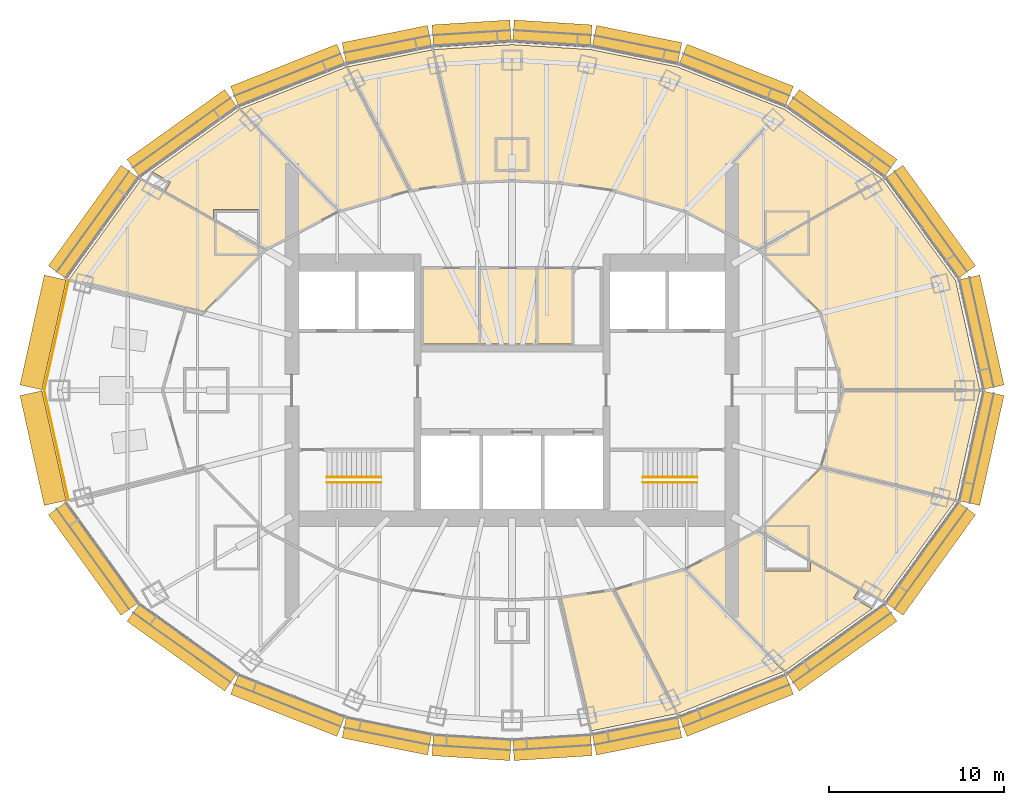
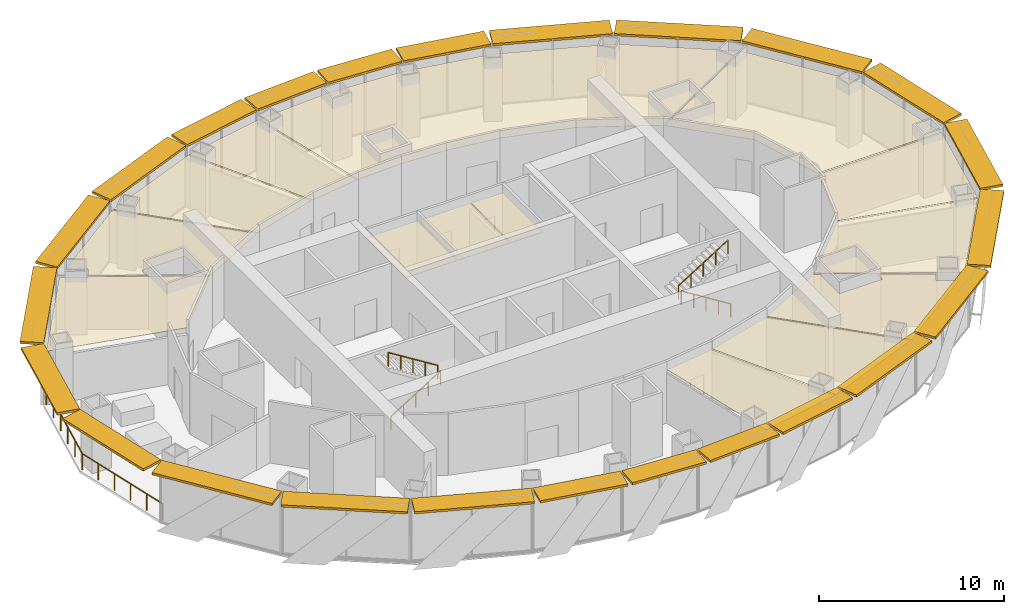
# One storey, part 16 of 16: 24 shading devices, 14 coverings, 6 railings.
"""IFC4 building model written with IfcOpenShell, lengths in metres."""

from ifc_helpers import new_model, si_unit, direction, frame, origin, origin_2d, place, context, subcontext, project, spatial, polyline, rectangle, circle, outline, extrude, material, layer, layer_set, type_object, element, save


model = new_model("IFC4")

# Units and contexts
model_context = context("Model", 3, precision=1e-05, world=origin(), true_north=direction((0.0, 1.0)))
body_context = subcontext(model_context, "Body", "Model", "MODEL_VIEW")
ifc_project = project(units=[si_unit("LENGTHUNIT", "METRE"), si_unit("AREAUNIT", "SQUARE_METRE"), si_unit("VOLUMEUNIT", "CUBIC_METRE"), si_unit("PLANEANGLEUNIT", "RADIAN"), si_unit("MASSUNIT", "GRAM", prefix="KILO")], contexts=[model_context])

# Site, building, storey
site_placement = place(None, origin())
site = spatial("IfcSite", under=ifc_project, at=site_placement, CompositionType="ELEMENT")
building_placement = place(site_placement, origin())
building = spatial("IfcBuilding", under=site, at=building_placement, Name="Lantaw Convention Tower", CompositionType="ELEMENT")
storey_placement = place(building_placement, frame((0.0, 0.0, 232.60009765625)))
storey = spatial("IfcBuildingStorey", under=building, at=storey_placement, Name="L54", CompositionType="ELEMENT", Elevation=232.60009765625)

# Railings
ifc_material_1 = material(Name="Stainless steel", Category="steel")
railing_type_1 = type_object("IfcRailingType", Name="Stair handrail", PredefinedType="HANDRAIL", material=ifc_material_1)
railing_1_placement = place(storey_placement, frame((-10.580078125, -5.280029296875, 0.1748046875)))
element("IfcRailing", 1, at=railing_1_placement, inside=storey, type_object=railing_type_1, Name="Stair handrail S1", PredefinedType="HANDRAIL", context=body_context, shape_type="SweptSolid", body=[
    extrude(circle(Radius=0.02392578125, at=origin_2d()), frame((0.0, 0.0, 0.8759765625), z_axis=(0.847998304005, 0.0, 0.529998940003), x_axis=(0.0, 1.0, 0.0)), (0.0, 0.0, 1.0), 3.632080078125),
    extrude(circle(Radius=0.02099609375, at=origin_2d()), origin(), (0.0, 0.0, 1.0), 0.851806640625),
    extrude(circle(Radius=0.02099609375, at=origin_2d()), frame((0.77001953125, 0.0, 0.481201171875)), (0.0, 0.0, 1.0), 0.851806640625),
    extrude(circle(Radius=0.02099609375, at=origin_2d()), frame((1.5400390625, 0.0, 0.96240234375)), (0.0, 0.0, 1.0), 0.851806640625),
    extrude(circle(Radius=0.02099609375, at=origin_2d()), frame((2.31005859375, 0.0, 1.44384765625)), (0.0, 0.0, 1.0), 0.851806640625),
    extrude(circle(Radius=0.02099609375, at=origin_2d()), frame((3.080078125, 0.0, 1.925048828125)), (0.0, 0.0, 1.0), 0.851806640625),
])
for number, where, name in (
    (2, (-7.5, -4.97998046875, 2.27490234375), "Stair handrail S1"),
    (3, (10.580078125, -5.280029296875, 0.1748046875), "Stair handrail S2"),
):
    element("IfcRailing", number, at=place(storey_placement, frame(where)), inside=storey, type_object=railing_type_1, Name=name, PredefinedType="HANDRAIL", context=body_context, shape_type="SweptSolid", body=[
        extrude(circle(Radius=0.02392578125, at=origin_2d()), frame((0.0, 0.0, 0.8759765625), z_axis=(-0.847998304005, 0.0, 0.529998940003), x_axis=(0.0, -1.0, 0.0)), (0.0, 0.0, 1.0), 3.632080078125),
        extrude(circle(Radius=0.02099609375, at=origin_2d()), origin(), (0.0, 0.0, 1.0), 0.851806640625),
        extrude(circle(Radius=0.02099609375, at=origin_2d()), frame((-0.77001953125, 0.0, 0.481201171875)), (0.0, 0.0, 1.0), 0.851806640625),
        extrude(circle(Radius=0.02099609375, at=origin_2d()), frame((-1.5400390625, 0.0, 0.96240234375)), (0.0, 0.0, 1.0), 0.851806640625),
        extrude(circle(Radius=0.02099609375, at=origin_2d()), frame((-2.31005859375, 0.0, 1.44384765625)), (0.0, 0.0, 1.0), 0.851806640625),
        extrude(circle(Radius=0.02099609375, at=origin_2d()), frame((-3.080078125, 0.0, 1.925048828125)), (0.0, 0.0, 1.0), 0.851806640625),
    ])
railing_2_placement = place(storey_placement, frame((7.5, -4.97998046875, 2.27490234375)))
element("IfcRailing", 4, at=railing_2_placement, inside=storey, type_object=railing_type_1, Name="Stair handrail S2", PredefinedType="HANDRAIL", context=body_context, shape_type="SweptSolid", body=[
    extrude(circle(Radius=0.02392578125, at=origin_2d()), frame((0.0, 0.0, 0.8759765625), z_axis=(0.847998304005, 0.0, 0.529998940003), x_axis=(0.0, 1.0, 0.0)), (0.0, 0.0, 1.0), 3.632080078125),
    extrude(circle(Radius=0.02099609375, at=origin_2d()), origin(), (0.0, 0.0, 1.0), 0.851806640625),
    extrude(circle(Radius=0.02099609375, at=origin_2d()), frame((0.77001953125, 0.0, 0.481201171875)), (0.0, 0.0, 1.0), 0.851806640625),
    extrude(circle(Radius=0.02099609375, at=origin_2d()), frame((1.5400390625, 0.0, 0.96240234375)), (0.0, 0.0, 1.0), 0.851806640625),
    extrude(circle(Radius=0.02099609375, at=origin_2d()), frame((2.31005859375, 0.0, 1.44384765625)), (0.0, 0.0, 1.0), 0.851806640625),
    extrude(circle(Radius=0.02099609375, at=origin_2d()), frame((3.080078125, 0.0, 1.925048828125)), (0.0, 0.0, 1.0), 0.851806640625),
])

# Coverings
ifc_material_2 = material(Name="Gypsum board on steel suspension grid", Category="steel")
ifc_layer = layer(ifc_material_2, 0.02001953125)
ifc_layer_set = layer_set([ifc_layer], Name="Suspended ceiling")
covering_type = type_object("IfcCoveringType", Name="Suspended ceiling", PredefinedType="CEILING", material=ifc_layer_set)
covering_1_placement = place(storey_placement, frame((0.0, 0.0, 3.449951171875)))
element("IfcCovering", 5, at=covering_1_placement, inside=storey, type_object=covering_type, Name="Male WC ceiling", PredefinedType="CEILING", context=body_context, shape_type="SweptSolid", body=[
    extrude(outline(polyline([(-5.080078125, 2.639892578125), (-1.88330078125, 2.639892578125), (-1.88330078125, 6.9599609375), (-5.080078125, 6.9599609375), (-5.080078125, 2.639892578125)])), origin(), (0.0, 0.0, 1.0), 0.02001953125),
])
covering_2_placement = place(storey_placement, frame((0.0, 0.0, 3.449951171875)))
element("IfcCovering", 6, at=covering_2_placement, inside=storey, type_object=covering_type, Name="Female WC ceiling", PredefinedType="CEILING", context=body_context, shape_type="SweptSolid", body=[
    extrude(outline(polyline([(-1.80322265625, 2.639892578125), (1.3935546875, 2.639892578125), (1.3935546875, 6.9599609375), (-1.80322265625, 6.9599609375), (-1.80322265625, 2.639892578125)])), origin(), (0.0, 0.0, 1.0), 0.02001953125),
])
covering_3_placement = place(storey_placement, frame((0.0, 0.0, 3.449951171875)))
element("IfcCovering", 7, at=covering_3_placement, inside=storey, type_object=covering_type, Name="Accessible WC ceiling", PredefinedType="CEILING", context=body_context, shape_type="SweptSolid", body=[
    extrude(outline(polyline([(1.4736328125, 2.639892578125), (3.441650390625, 2.639892578125), (3.441650390625, 6.9599609375), (1.4736328125, 6.9599609375), (1.4736328125, 2.639892578125)])), origin(), (0.0, 0.0, 1.0), 0.02001953125),
])
covering_4_placement = place(storey_placement, frame((0.0, 0.0, 3.449951171875)))
element("IfcCovering", 8, at=covering_4_placement, inside=storey, type_object=covering_type, Name="Pantry ceiling", PredefinedType="CEILING", context=body_context, shape_type="SweptSolid", body=[
    extrude(outline(polyline([(2.790283203125, -11.90771484375), (4.55859375, -19.492919921875), (9.42431640625, -18.514404296875), (5.7978515625, -11.466796875), (2.790283203125, -11.90771484375)])), origin(), (0.0, 0.0, 1.0), 0.02001953125),
])
covering_5_placement = place(storey_placement, frame((0.0, 0.0, 3.449951171875)))
element("IfcCovering", 9, at=covering_5_placement, inside=storey, type_object=covering_type, Name="Private office ceiling", PredefinedType="CEILING", context=body_context, shape_type="SweptSolid", body=[
    extrude(outline(polyline([(5.878173828125, -11.447998046875), (9.503173828125, -18.49267578125), (15.5537109375, -16.0966796875), (9.88134765625, -10.2900390625), (5.878173828125, -11.447998046875)])), origin(), (0.0, 0.0, 1.0), 0.02001953125),
])
covering_6_placement = place(storey_placement, frame((0.0, 0.0, 3.449951171875)))
element("IfcCovering", 10, at=covering_6_placement, inside=storey, type_object=covering_type, Name="Private office ceiling", PredefinedType="CEILING", context=body_context, shape_type="SweptSolid", body=[
    extrude(outline(polyline([(14.08837890625, -8.096435546875), (9.95947265625, -10.25537109375), (15.62890625, -16.059326171875), (20.599365234375, -12.50830078125), (19.5498046875, -11.908447265625), (19.866455078125, -11.3544921875), (17.090087890625, -9.788818359375), (17.090087890625, -10.340087890625), (14.409912109375, -10.340087890625), (14.409912109375, -8.27783203125), (14.08837890625, -8.096435546875)])), origin(), (0.0, 0.0, 1.0), 0.02001953125),
])
covering_7_placement = place(storey_placement, frame((0.0, 0.0, 3.449951171875)))
element("IfcCovering", 11, at=covering_7_placement, inside=storey, type_object=covering_type, Name="Private office ceiling", PredefinedType="CEILING", context=body_context, shape_type="SweptSolid", body=[
    extrude(outline(polyline([(14.154296875, -8.041748046875), (21.241455078125, -12.0380859375), (25.359130859375, -6.331787109375), (17.685302734375, -4.45068359375), (14.154296875, -8.041748046875)])), origin(), (0.0, 0.0, 1.0), 0.02001953125),
])
covering_8_placement = place(storey_placement, frame((0.0, 0.0, 3.449951171875)))
element("IfcCovering", 12, at=covering_8_placement, inside=storey, type_object=covering_type, Name="Private office ceiling", PredefinedType="CEILING", context=body_context, shape_type="SweptSolid", body=[
    extrude(outline(polyline([(17.72314453125, -4.37744140625), (25.39599609375, -6.258544921875), (26.77099609375, -0.0400390625), (19.02978515625, -0.0400390625), (17.72314453125, -4.37744140625)])), origin(), (0.0, 0.0, 1.0), 0.02001953125),
])
covering_9_placement = place(storey_placement, frame((0.0, 0.0, 3.449951171875)))
element("IfcCovering", 13, at=covering_9_placement, inside=storey, type_object=covering_type, Name="Meeting room ceiling", PredefinedType="CEILING", context=body_context, shape_type="SweptSolid", body=[
    extrude(outline(polyline([(19.02978515625, 0.0400390625), (26.77099609375, 0.0400390625), (25.388916015625, 6.290283203125), (21.241455078125, 12.0380859375), (14.154296875, 8.041748046875), (17.708251953125, 4.42724609375), (19.02978515625, 0.0400390625)])), origin(), (0.0, 0.0, 1.0), 0.02001953125),
])
covering_10_placement = place(storey_placement, frame((0.0, 0.0, 3.449951171875)))
element("IfcCovering", 14, at=covering_10_placement, inside=storey, type_object=covering_type, Name="Open office ceiling", PredefinedType="CEILING", context=body_context, shape_type="SweptSolid", body=[
    extrude(outline(polyline([(14.08837890625, 8.096435546875), (21.1787109375, 12.094482421875), (15.60498046875, 16.076416015625), (9.472900390625, 18.504638671875), (4.523193359375, 19.500244140625), (0.0, 19.78466796875), (-4.478759765625, 19.5029296875), (-2.7099609375, 11.916015625), (0.0, 12.0400390625), (2.745361328125, 11.914306640625), (5.828857421875, 11.462158203125), (9.908203125, 10.2822265625), (14.08837890625, 8.096435546875)])), origin(), (0.0, 0.0, 1.0), 0.02001953125),
])
covering_11_placement = place(storey_placement, frame((0.0, 0.0, 3.449951171875)))
element("IfcCovering", 15, at=covering_11_placement, inside=storey, type_object=covering_type, Name="Library ceiling", PredefinedType="CEILING", context=body_context, shape_type="SweptSolid", body=[
    extrude(outline(polyline([(-2.790283203125, 11.90771484375), (-4.55859375, 19.492919921875), (-9.42431640625, 18.514404296875), (-5.7978515625, 11.466796875), (-2.790283203125, 11.90771484375)])), origin(), (0.0, 0.0, 1.0), 0.02001953125),
])
covering_12_placement = place(storey_placement, frame((0.0, 0.0, 3.449951171875)))
element("IfcCovering", 16, at=covering_12_placement, inside=storey, type_object=covering_type, Name="Focus room ceiling", PredefinedType="CEILING", context=body_context, shape_type="SweptSolid", body=[
    extrude(outline(polyline([(-5.878173828125, 11.447998046875), (-9.503173828125, 18.49267578125), (-15.5537109375, 16.0966796875), (-9.88134765625, 10.2900390625), (-5.878173828125, 11.447998046875)])), origin(), (0.0, 0.0, 1.0), 0.02001953125),
])
covering_13_placement = place(storey_placement, frame((0.0, 0.0, 3.449951171875)))
element("IfcCovering", 17, at=covering_13_placement, inside=storey, type_object=covering_type, Name="Focus room ceiling", PredefinedType="CEILING", context=body_context, shape_type="SweptSolid", body=[
    extrude(outline(polyline([(-20.599365234375, 12.50830078125), (-19.5498046875, 11.908447265625), (-19.866455078125, 11.3544921875), (-17.090087890625, 9.788818359375), (-17.090087890625, 10.340087890625), (-14.409912109375, 10.340087890625), (-14.409912109375, 8.27783203125), (-14.08837890625, 8.096435546875), (-9.95947265625, 10.25537109375), (-15.62890625, 16.059326171875), (-20.599365234375, 12.50830078125)])), origin(), (0.0, 0.0, 1.0), 0.02001953125),
])
covering_14_placement = place(storey_placement, frame((0.0, 0.0, 3.449951171875)))
element("IfcCovering", 18, at=covering_14_placement, inside=storey, type_object=covering_type, Name="Focus room ceiling", PredefinedType="CEILING", context=body_context, shape_type="SweptSolid", body=[
    extrude(outline(polyline([(-14.154296875, 8.041748046875), (-21.241455078125, 12.0380859375), (-25.359130859375, 6.331787109375), (-17.685302734375, 4.45068359375), (-14.154296875, 8.041748046875)])), origin(), (0.0, 0.0, 1.0), 0.02001953125),
])

# Railings
ifc_material_3 = material(Name="Stainless steel posts and laminated glass, pale silver finish", Category="steel")
railing_type_2 = type_object("IfcRailingType", Name="Terrace guard railing 1100", PredefinedType="GUARDRAIL", material=ifc_material_3)
railing_3_placement = place(storey_placement, frame((-25.379638671875, 6.2861328125, 0.0)))
element("IfcRailing", 19, at=railing_3_placement, inside=storey, type_object=railing_type_2, Name="Sky garden guard", PredefinedType="GUARDRAIL", context=body_context, shape_type="SweptSolid", body=[
    extrude(circle(Radius=0.02392578125, at=origin_2d()), frame((0.0, 0.0, 1.076171875), z_axis=(-0.215890377558, -0.976417607829, 0.0), x_axis=(0.976417607829, -0.215890377558, 0.0)), (0.0, 0.0, 1.0), 6.43798828125),
    extrude(circle(Radius=0.02099609375, at=origin_2d()), origin(), (0.0, 0.0, 1.0), 1.052001953125),
    extrude(circle(Radius=0.02099609375, at=origin_2d()), frame((-0.278076171875, -1.25732421875, 0.0)), (0.0, 0.0, 1.0), 1.052001953125),
    extrude(circle(Radius=0.02099609375, at=origin_2d()), frame((-0.555908203125, -2.514404296875, 0.0)), (0.0, 0.0, 1.0), 1.052001953125),
    extrude(circle(Radius=0.02099609375, at=origin_2d()), frame((-0.833984375, -3.771728515625, 0.0)), (0.0, 0.0, 1.0), 1.052001953125),
    extrude(circle(Radius=0.02099609375, at=origin_2d()), frame((-1.11181640625, -5.02880859375, 0.0)), (0.0, 0.0, 1.0), 1.052001953125),
    extrude(circle(Radius=0.02099609375, at=origin_2d()), frame((-1.389892578125, -6.2861328125, 0.0)), (0.0, 0.0, 1.0), 1.052001953125),
])
railing_4_placement = place(storey_placement, frame((-26.76953125, 0.0, 0.0)))
element("IfcRailing", 20, at=railing_4_placement, inside=storey, type_object=railing_type_2, Name="Sky garden guard", PredefinedType="GUARDRAIL", context=body_context, shape_type="SweptSolid", body=[
    extrude(circle(Radius=0.02392578125, at=origin_2d()), frame((0.0, 0.0, 1.076171875), z_axis=(0.215890377558, -0.976417607829, 0.0), x_axis=(0.976417607829, 0.215890377558, 0.0)), (0.0, 0.0, 1.0), 6.43798828125),
    extrude(circle(Radius=0.02099609375, at=origin_2d()), origin(), (0.0, 0.0, 1.0), 1.052001953125),
    extrude(circle(Radius=0.02099609375, at=origin_2d()), frame((0.278076171875, -1.25732421875, 0.0)), (0.0, 0.0, 1.0), 1.052001953125),
    extrude(circle(Radius=0.02099609375, at=origin_2d()), frame((0.555908203125, -2.514404296875, 0.0)), (0.0, 0.0, 1.0), 1.052001953125),
    extrude(circle(Radius=0.02099609375, at=origin_2d()), frame((0.833984375, -3.771728515625, 0.0)), (0.0, 0.0, 1.0), 1.052001953125),
    extrude(circle(Radius=0.02099609375, at=origin_2d()), frame((1.11181640625, -5.02880859375, 0.0)), (0.0, 0.0, 1.0), 1.052001953125),
    extrude(circle(Radius=0.02099609375, at=origin_2d()), frame((1.389892578125, -6.2861328125, 0.0)), (0.0, 0.0, 1.0), 1.052001953125),
])

# Shading devices
shading_device_1_placement = place(storey_placement, frame((26.839111328125, 3.310546875, 3.905029296875), z_axis=(0.0, 0.0, 1.0), x_axis=(-0.215891333626, 0.976417396437, 0.0)))
element("IfcShadingDevice", 21, at=shading_device_1_placement, inside=storey, Name="SUNSHADE blade", ObjectType="SUNSHADE", PredefinedType="USERDEFINED", context=body_context, shape_type="SweptSolid", body=[
    extrude(rectangle(XDim=6.434326171875, YDim=1.284912109375, at=origin_2d()), origin(), (0.0, 0.0, 1.0), 0.14990234375),
])
shading_device_2_placement = place(storey_placement, frame((23.935791015625, 9.624267578125, 3.905029296875), z_axis=(0.0, 0.0, 1.0), x_axis=(-0.585157643865, 0.810919559405, 0.0)))
element("IfcShadingDevice", 22, at=shading_device_2_placement, inside=storey, Name="SUNSHADE blade", ObjectType="SUNSHADE", PredefinedType="USERDEFINED", context=body_context, shape_type="SweptSolid", body=[
    extrude(rectangle(XDim=7.0966796875, YDim=1.284912109375, at=origin_2d()), origin(), (0.0, 0.0, 1.0), 0.14990234375),
])
shading_device_3_placement = place(storey_placement, frame((18.867431640625, 14.695068359375, 3.905029296875), z_axis=(0.0, 0.0, 1.0), x_axis=(-0.813672540482, 0.581323487281, 0.0)))
element("IfcShadingDevice", 23, at=shading_device_3_placement, inside=storey, Name="SUNSHADE blade", ObjectType="SUNSHADE", PredefinedType="USERDEFINED", context=body_context, shape_type="SweptSolid", body=[
    extrude(rectangle(XDim=6.867919921875, YDim=1.284912109375, at=origin_2d()), origin(), (0.0, 0.0, 1.0), 0.14990234375),
])
shading_device_4_placement = place(storey_placement, frame((12.82666015625, 18.007568359375, 3.905029296875), z_axis=(0.0, 0.0, 1.0), x_axis=(-0.929761533743, 0.368162315252, 0.0)))
element("IfcShadingDevice", 24, at=shading_device_4_placement, inside=storey, Name="SUNSHADE blade", ObjectType="SUNSHADE", PredefinedType="USERDEFINED", context=body_context, shape_type="SweptSolid", body=[
    extrude(rectangle(XDim=6.541015625, YDim=1.284912109375, at=origin_2d()), origin(), (0.0, 0.0, 1.0), 0.14990234375),
])
shading_device_5_placement = place(storey_placement, frame((7.152587890625, 19.75927734375, 3.905029296875), z_axis=(0.0, 0.0, 1.0), x_axis=(-0.980366679695, 0.197183095987, 0.0)))
element("IfcShadingDevice", 25, at=shading_device_5_placement, inside=storey, Name="SUNSHADE blade", ObjectType="SUNSHADE", PredefinedType="USERDEFINED", context=body_context, shape_type="SweptSolid", body=[
    extrude(rectangle(XDim=4.982421875, YDim=1.284912109375, at=origin_2d()), origin(), (0.0, 0.0, 1.0), 0.14990234375),
])
for number, where, z_axis, x_axis, name in (
    (26, (2.310546875, 20.413330078125, 3.905029296875), (0.0, 0.0, 1.0), (-0.998028774865, 0.062757983884, 0.0), "SUNSHADE blade"),
    (27, (-2.310546875, 20.413330078125, 3.905029296875), (0.0, 0.0, 1.0), (-0.998028774865, -0.062757983884, 0.0), "SUNSHADE blade"),
):
    element("IfcShadingDevice", number, at=place(storey_placement, frame(where, z_axis=z_axis, x_axis=x_axis)), inside=storey, Name=name, ObjectType="SUNSHADE", PredefinedType="USERDEFINED", context=body_context, shape_type="SweptSolid", body=[
        extrude(rectangle(XDim=4.460205078125, YDim=1.284912109375, at=origin_2d()), origin(), (0.0, 0.0, 1.0), 0.14990234375),
    ])
shading_device_6_placement = place(storey_placement, frame((-7.152587890625, 19.75927734375, 3.905029296875), z_axis=(0.0, 0.0, 1.0), x_axis=(-0.980366679695, -0.197183095987, 0.0)))
element("IfcShadingDevice", 28, at=shading_device_6_placement, inside=storey, Name="SUNSHADE blade", ObjectType="SUNSHADE", PredefinedType="USERDEFINED", context=body_context, shape_type="SweptSolid", body=[
    extrude(rectangle(XDim=4.982421875, YDim=1.284912109375, at=origin_2d()), origin(), (0.0, 0.0, 1.0), 0.14990234375),
])
shading_device_7_placement = place(storey_placement, frame((-12.82666015625, 18.007568359375, 3.905029296875), z_axis=(0.0, 0.0, 1.0), x_axis=(-0.929761533743, -0.368162315252, 0.0)))
element("IfcShadingDevice", 29, at=shading_device_7_placement, inside=storey, Name="SUNSHADE blade", ObjectType="SUNSHADE", PredefinedType="USERDEFINED", context=body_context, shape_type="SweptSolid", body=[
    extrude(rectangle(XDim=6.541015625, YDim=1.284912109375, at=origin_2d()), origin(), (0.0, 0.0, 1.0), 0.14990234375),
])
shading_device_8_placement = place(storey_placement, frame((-18.867431640625, 14.695068359375, 3.905029296875), z_axis=(0.0, 0.0, 1.0), x_axis=(-0.813672540482, -0.581323487281, 0.0)))
element("IfcShadingDevice", 30, at=shading_device_8_placement, inside=storey, Name="SUNSHADE blade", ObjectType="SUNSHADE", PredefinedType="USERDEFINED", context=body_context, shape_type="SweptSolid", body=[
    extrude(rectangle(XDim=6.867919921875, YDim=1.284912109375, at=origin_2d()), origin(), (0.0, 0.0, 1.0), 0.14990234375),
])
shading_device_9_placement = place(storey_placement, frame((-23.935791015625, 9.624267578125, 3.905029296875), z_axis=(0.0, 0.0, 1.0), x_axis=(-0.585157643865, -0.810919559405, 0.0)))
element("IfcShadingDevice", 31, at=shading_device_9_placement, inside=storey, Name="SUNSHADE blade", ObjectType="SUNSHADE", PredefinedType="USERDEFINED", context=body_context, shape_type="SweptSolid", body=[
    extrude(rectangle(XDim=7.0966796875, YDim=1.284912109375, at=origin_2d()), origin(), (0.0, 0.0, 1.0), 0.14990234375),
])
for number, where, z_axis, x_axis, name in (
    (32, (-26.839111328125, 3.310546875, 3.905029296875), (0.0, 0.0, 1.0), (-0.215891333626, -0.976417396437, 0.0), "SUNSHADE blade"),
    (33, (-26.839111328125, -3.310546875, 3.905029296875), (0.0, 0.0, 1.0), (0.215891333626, -0.976417396437, 0.0), "SUNSHADE blade"),
):
    element("IfcShadingDevice", number, at=place(storey_placement, frame(where, z_axis=z_axis, x_axis=x_axis)), inside=storey, Name=name, ObjectType="SUNSHADE", PredefinedType="USERDEFINED", context=body_context, shape_type="SweptSolid", body=[
        extrude(rectangle(XDim=6.434326171875, YDim=1.284912109375, at=origin_2d()), origin(), (0.0, 0.0, 1.0), 0.14990234375),
    ])
shading_device_10_placement = place(storey_placement, frame((-23.935791015625, -9.624267578125, 3.905029296875), z_axis=(0.0, 0.0, 1.0), x_axis=(0.585157643865, -0.810919559405, 0.0)))
element("IfcShadingDevice", 34, at=shading_device_10_placement, inside=storey, Name="SUNSHADE blade", ObjectType="SUNSHADE", PredefinedType="USERDEFINED", context=body_context, shape_type="SweptSolid", body=[
    extrude(rectangle(XDim=7.0966796875, YDim=1.284912109375, at=origin_2d()), origin(), (0.0, 0.0, 1.0), 0.14990234375),
])
shading_device_11_placement = place(storey_placement, frame((-18.867431640625, -14.695068359375, 3.905029296875), z_axis=(0.0, 0.0, 1.0), x_axis=(0.813672540482, -0.581323487281, 0.0)))
element("IfcShadingDevice", 35, at=shading_device_11_placement, inside=storey, Name="SUNSHADE blade", ObjectType="SUNSHADE", PredefinedType="USERDEFINED", context=body_context, shape_type="SweptSolid", body=[
    extrude(rectangle(XDim=6.867919921875, YDim=1.284912109375, at=origin_2d()), origin(), (0.0, 0.0, 1.0), 0.14990234375),
])
shading_device_12_placement = place(storey_placement, frame((-12.82666015625, -18.007568359375, 3.905029296875), z_axis=(0.0, 0.0, 1.0), x_axis=(0.929761533743, -0.368162315252, 0.0)))
element("IfcShadingDevice", 36, at=shading_device_12_placement, inside=storey, Name="SUNSHADE blade", ObjectType="SUNSHADE", PredefinedType="USERDEFINED", context=body_context, shape_type="SweptSolid", body=[
    extrude(rectangle(XDim=6.541015625, YDim=1.284912109375, at=origin_2d()), origin(), (0.0, 0.0, 1.0), 0.14990234375),
])
shading_device_13_placement = place(storey_placement, frame((-7.152587890625, -19.75927734375, 3.905029296875), z_axis=(0.0, 0.0, 1.0), x_axis=(0.980366679695, -0.197183095987, 0.0)))
element("IfcShadingDevice", 37, at=shading_device_13_placement, inside=storey, Name="SUNSHADE blade", ObjectType="SUNSHADE", PredefinedType="USERDEFINED", context=body_context, shape_type="SweptSolid", body=[
    extrude(rectangle(XDim=4.982421875, YDim=1.284912109375, at=origin_2d()), origin(), (0.0, 0.0, 1.0), 0.14990234375),
])
for number, where, z_axis, x_axis, name in (
    (38, (-2.310546875, -20.413330078125, 3.905029296875), (0.0, 0.0, 1.0), (0.998028774865, -0.062757983884, 0.0), "SUNSHADE blade"),
    (39, (2.310546875, -20.413330078125, 3.905029296875), (0.0, 0.0, 1.0), (0.998028774865, 0.062757983884, 0.0), "SUNSHADE blade"),
):
    element("IfcShadingDevice", number, at=place(storey_placement, frame(where, z_axis=z_axis, x_axis=x_axis)), inside=storey, Name=name, ObjectType="SUNSHADE", PredefinedType="USERDEFINED", context=body_context, shape_type="SweptSolid", body=[
        extrude(rectangle(XDim=4.460205078125, YDim=1.284912109375, at=origin_2d()), origin(), (0.0, 0.0, 1.0), 0.14990234375),
    ])
shading_device_14_placement = place(storey_placement, frame((7.152587890625, -19.75927734375, 3.905029296875), z_axis=(0.0, 0.0, 1.0), x_axis=(0.980366679695, 0.197183095987, 0.0)))
element("IfcShadingDevice", 40, at=shading_device_14_placement, inside=storey, Name="SUNSHADE blade", ObjectType="SUNSHADE", PredefinedType="USERDEFINED", context=body_context, shape_type="SweptSolid", body=[
    extrude(rectangle(XDim=4.982421875, YDim=1.284912109375, at=origin_2d()), origin(), (0.0, 0.0, 1.0), 0.14990234375),
])
shading_device_15_placement = place(storey_placement, frame((12.82666015625, -18.007568359375, 3.905029296875), z_axis=(0.0, 0.0, 1.0), x_axis=(0.929761533743, 0.368162315252, 0.0)))
element("IfcShadingDevice", 41, at=shading_device_15_placement, inside=storey, Name="SUNSHADE blade", ObjectType="SUNSHADE", PredefinedType="USERDEFINED", context=body_context, shape_type="SweptSolid", body=[
    extrude(rectangle(XDim=6.541015625, YDim=1.284912109375, at=origin_2d()), origin(), (0.0, 0.0, 1.0), 0.14990234375),
])
shading_device_16_placement = place(storey_placement, frame((18.867431640625, -14.695068359375, 3.905029296875), z_axis=(0.0, 0.0, 1.0), x_axis=(0.813672540482, 0.581323487281, 0.0)))
element("IfcShadingDevice", 42, at=shading_device_16_placement, inside=storey, Name="SUNSHADE blade", ObjectType="SUNSHADE", PredefinedType="USERDEFINED", context=body_context, shape_type="SweptSolid", body=[
    extrude(rectangle(XDim=6.867919921875, YDim=1.284912109375, at=origin_2d()), origin(), (0.0, 0.0, 1.0), 0.14990234375),
])
shading_device_17_placement = place(storey_placement, frame((23.935791015625, -9.624267578125, 3.905029296875), z_axis=(0.0, 0.0, 1.0), x_axis=(0.585157643865, 0.810919559405, 0.0)))
element("IfcShadingDevice", 43, at=shading_device_17_placement, inside=storey, Name="SUNSHADE blade", ObjectType="SUNSHADE", PredefinedType="USERDEFINED", context=body_context, shape_type="SweptSolid", body=[
    extrude(rectangle(XDim=7.0966796875, YDim=1.284912109375, at=origin_2d()), origin(), (0.0, 0.0, 1.0), 0.14990234375),
])
shading_device_18_placement = place(storey_placement, frame((26.839111328125, -3.310546875, 3.905029296875), z_axis=(0.0, 0.0, 1.0), x_axis=(0.215891333626, 0.976417396437, 0.0)))
element("IfcShadingDevice", 44, at=shading_device_18_placement, inside=storey, Name="SUNSHADE blade", ObjectType="SUNSHADE", PredefinedType="USERDEFINED", context=body_context, shape_type="SweptSolid", body=[
    extrude(rectangle(XDim=6.434326171875, YDim=1.284912109375, at=origin_2d()), origin(), (0.0, 0.0, 1.0), 0.14990234375),
])

save(model, "model.ifc")
